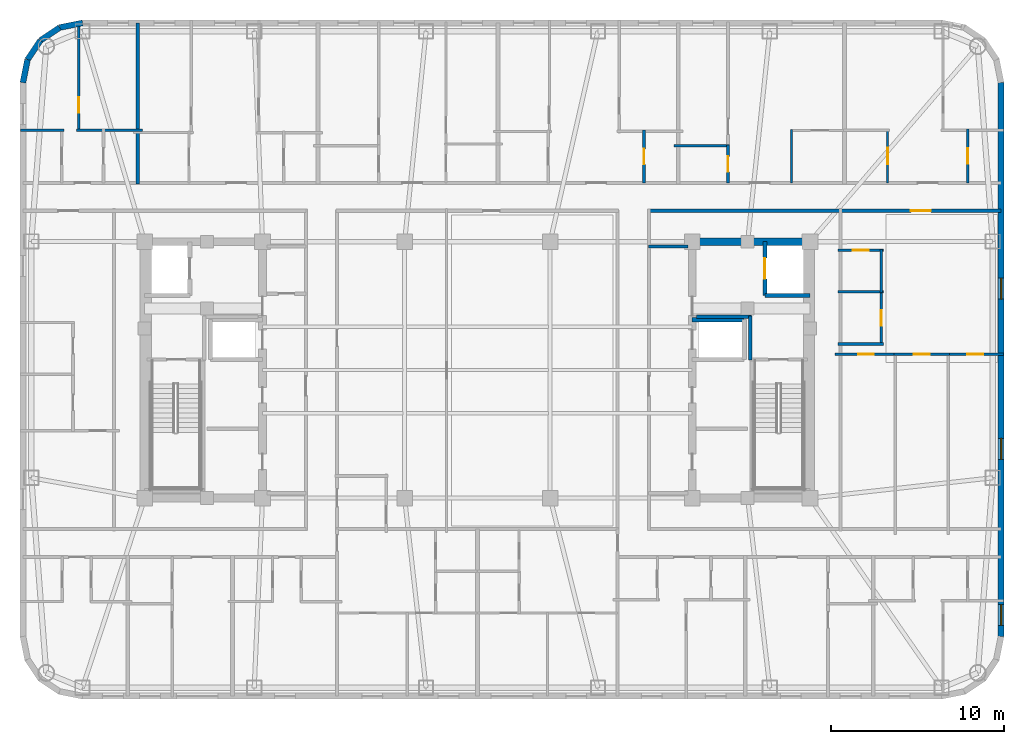
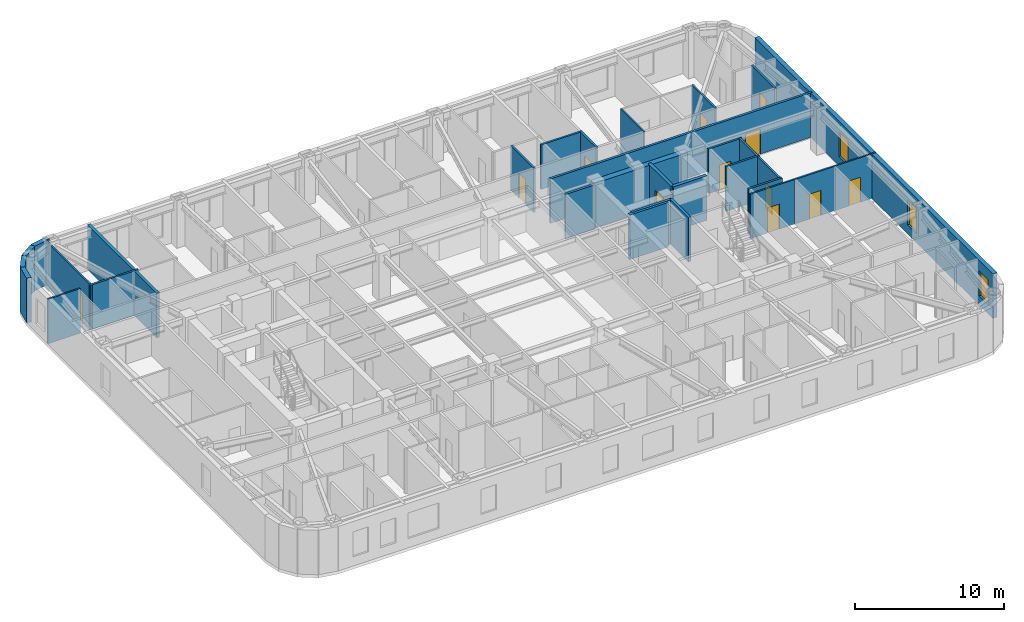
# One storey, part 7 of 11: 31 walls, 12 doors, 3 windows, 15 openings.
"""IFC4 building model written with IfcOpenShell, lengths in metres."""

from ifc_helpers import new_model, si_unit, direction, frame, frame_2d, origin, place, context, subcontext, project, spatial, rectangle, extrude, material, layer, layer_set, type_object, element, fill, save


model = new_model("IFC4")

# Units and contexts
model_context = context("Model", 3, precision=1e-05, world=origin(), true_north=direction((0.0, 1.0)))
body_context = subcontext(model_context, "Body", "Model", "MODEL_VIEW")
ifc_project = project(units=[si_unit("LENGTHUNIT", "METRE"), si_unit("AREAUNIT", "SQUARE_METRE"), si_unit("VOLUMEUNIT", "CUBIC_METRE"), si_unit("PLANEANGLEUNIT", "RADIAN"), si_unit("MASSUNIT", "GRAM", prefix="KILO")], contexts=[model_context])

# Site, building, storey
site_placement = place(None, origin())
site = spatial("IfcSite", under=ifc_project, at=site_placement, CompositionType="ELEMENT")
building_placement = place(site_placement, origin())
building = spatial("IfcBuilding", under=site, at=building_placement, Name="Voryun Gate Residences", CompositionType="ELEMENT")
storey_placement = place(building_placement, frame((0.0, 0.0, 219.699951171875)))
storey = spatial("IfcBuildingStorey", under=building, at=storey_placement, Name="L54", CompositionType="ELEMENT", Elevation=219.699951171875)

# Walls
ifc_material_1 = material(Name="Concrete C50/60", Category="concrete")
ifc_layer_1 = layer(ifc_material_1, 0.449951171875, Name="CW_CORE_450")
ifc_layer_set_1 = layer_set([ifc_layer_1], Name="Concrete C50/60")
wall_type_1 = type_object("IfcWallType", Name="CW_CORE_450", PredefinedType="SHEAR", material=ifc_layer_set_1)
wall_1_placement = place(storey_placement, frame((12.175048828125, 7.39990234375, 0.0), z_axis=(0.0, 0.0, 1.0), x_axis=(1.0, 0.0, 0.0)))
element("IfcWall", 1, at=wall_1_placement, inside=storey, type_object=wall_type_1, Name="L54 Core shear wall CW-L54-EN", PredefinedType="SHEAR", context=body_context, shape_type="SweptSolid", body=[
    extrude(rectangle(XDim=7.25, YDim=0.449951171875, at=frame_2d((3.625, 0.0))), origin(), (0.0, 0.0, 1.0), 3.650146484375),
])
ifc_material_2 = material(Name="Gypsum acoustic fireboard")
ifc_layer_2 = layer(ifc_material_2, 0.179931640625, Name="W_CORR_RATED_180")
ifc_layer_set_2 = layer_set([ifc_layer_2], Name="Gypsum acoustic fireboard")
wall_type_2 = type_object("IfcWallType", Name="W_CORR_RATED_180", PredefinedType="PARTITIONING", material=ifc_layer_set_2)
wall_2_placement = place(storey_placement, frame((9.8798828125, 7.1201171875, 0.0), z_axis=(0.0, 0.0, 1.0), x_axis=(1.0, 0.0, 0.0)))
element("IfcWall", 2, at=wall_2_placement, inside=storey, type_object=wall_type_2, Name="Partition wall WP-L54-PLBN-E", PredefinedType="PARTITIONING", context=body_context, shape_type="SweptSolid", body=[
    extrude(rectangle(XDim=2.27001953125, YDim=0.179931640625, at=frame_2d((1.135009765625, 0.0))), origin(), (0.0, 0.0, 1.0), 3.650146484375),
])

# Wall, opening, door
wall_3_placement = place(storey_placement, frame((9.8798828125, 9.18994140625, 0.0), z_axis=(0.0, 0.0, 1.0), x_axis=(1.0, 0.0, 0.0)))
wall_3 = element("IfcWall", 3, at=wall_3_placement, inside=storey, type_object=wall_type_2, Name="Partition wall WP-L54-CWING-EN", PredefinedType="PARTITIONING", context=body_context, shape_type="SweptSolid", body=[
    extrude(rectangle(XDim=20.35009765625, YDim=0.179931640625, at=frame_2d((10.175048828125, 0.0))), origin(), (0.0, 0.0, 1.0), 3.650146484375),
])
opening_1_placement = place(wall_3_placement, frame((15.1494140625, 0.0, 0.0)))
opening_1 = element("IfcOpeningElement", 4, at=opening_1_placement, cuts=wall_3, Name="Opening D-UNIT-1", PredefinedType="OPENING", context=body_context, shape_type="SweptSolid", body=[
    extrude(rectangle(XDim=1.14990234375, YDim=2.050048828125, at=frame_2d((0.574951171875, 1.02490234375))), frame((0.0, 0.099853515625, 0.0), z_axis=(0.0, -1.0, 0.0), x_axis=(1.0, 0.0, 0.0)), (0.0, 0.0, 1.0), 0.199951171875),
])
ifc_material_3 = material(Name="Armoured timber-clad fire door", Category="wood")
door_type_1 = type_object("IfcDoorType", Name="DR_UNIT_ENTRY_1150", OperationType="NOTDEFINED", PredefinedType="DOOR", material=ifc_material_3)
door_1_placement = place(opening_1_placement, origin())
door_1 = element("IfcDoor", 5, at=door_1_placement, inside=storey, type_object=door_type_1, Name="Door DR-L54-EE1N", OperationType="SINGLE_SWING_LEFT", OverallHeight=2.050048828125, OverallWidth=1.14990234375, PredefinedType="DOOR", context=body_context, shape_type="SweptSolid", body=[
    extrude(rectangle(XDim=1.14990234375, YDim=2.050048828125, at=frame_2d((0.574951171875, 1.02490234375))), frame((0.0, 0.02490234375, 0.0), z_axis=(0.0, -1.0, 0.0), x_axis=(1.0, 0.0, 0.0)), (0.0, 0.0, 1.0), 0.050048828125),
])
fill(opening_1, door_1)

# Walls
ifc_material_4 = material(Name="Charcoal terracotta masonry", Category="masonry")
ifc_layer_3 = layer(ifc_material_4, 0.340087890625, Name="W_EXT_TERRACOTTA_340")
ifc_layer_set_3 = layer_set([ifc_layer_3], Name="Charcoal terracotta masonry")
wall_type_3 = type_object("IfcWallType", Name="W_EXT_TERRACOTTA_340", PredefinedType="ELEMENTEDWALL", material=ifc_layer_set_3)
wall_4_placement = place(storey_placement, frame((-26.22998046875, 16.583251953125, 0.0), z_axis=(0.0, 0.0, 1.0), x_axis=(0.195075878998, 0.980788153188, 0.0)))
element("IfcWall", 6, at=wall_4_placement, inside=storey, type_object=wall_type_3, Name="Exterior wall WEXT-L54-07", PredefinedType="ELEMENTEDWALL", context=body_context, shape_type="SweptSolid", body=[
    extrude(rectangle(XDim=1.354248046875, YDim=0.340087890625, at=frame_2d((0.67724609375, 0.0))), origin(), (0.0, 0.0, 1.0), 3.650146484375),
])
for number, where, z_axis, x_axis, name in (
    (7, (-25.9658203125, 17.911376953125, 0.0), (0.0, 0.0, 1.0), (0.555669034571, 0.831403586725, 0.0), "Exterior wall WEXT-L54-08"),
    (8, (-25.222900390625, 19.02294921875, 0.0), (0.0, 0.0, 1.0), (0.831403586725, 0.555669034571, 0.0), "Exterior wall WEXT-L54-09"),
):
    element("IfcWall", number, at=place(storey_placement, frame(where, z_axis=z_axis, x_axis=x_axis)), inside=storey, type_object=wall_type_3, Name=name, PredefinedType="ELEMENTEDWALL", context=body_context, shape_type="SweptSolid", body=[
        extrude(rectangle(XDim=1.3369140625, YDim=0.340087890625, at=frame_2d((0.66845703125, 0.0))), origin(), (0.0, 0.0, 1.0), 3.650146484375),
    ])
wall_5_placement = place(storey_placement, frame((-24.111328125, 19.765869140625, 0.0), z_axis=(0.0, 0.0, 1.0), x_axis=(0.980788153188, 0.195075878998, 0.0)))
element("IfcWall", 9, at=wall_5_placement, inside=storey, type_object=wall_type_3, Name="Exterior wall WEXT-L54-10", PredefinedType="ELEMENTEDWALL", context=body_context, shape_type="SweptSolid", body=[
    extrude(rectangle(XDim=1.354248046875, YDim=0.340087890625, at=frame_2d((0.67724609375, 0.0))), origin(), (0.0, 0.0, 1.0), 3.650146484375),
])

# Wall, openings, windows
wall_6_placement = place(storey_placement, frame((30.22998046875, 16.583251953125, 0.0), z_axis=(0.0, 0.0, 1.0), x_axis=(0.0, -1.0, 0.0)))
wall_6 = element("IfcWall", 10, at=wall_6_placement, inside=storey, type_object=wall_type_3, Name="Exterior wall WEXT-L54-16", PredefinedType="ELEMENTEDWALL", context=body_context, shape_type="SweptSolid", body=[
    extrude(rectangle(XDim=31.966552734375, YDim=0.340087890625, at=frame_2d((15.9833984375, 0.0))), origin(), (0.0, 0.0, 1.0), 3.650146484375),
])
opening_2_placement = place(wall_6_placement, frame((30.13232421875, 0.0, 0.75)))
opening_2 = element("IfcOpeningElement", 11, at=opening_2_placement, cuts=wall_6, Name="Opening WN6", PredefinedType="OPENING", context=body_context, shape_type="SweptSolid", body=[
    extrude(rectangle(XDim=1.199951171875, YDim=2.050048828125, at=frame_2d((0.60009765625, 1.02490234375))), frame((0.0, 0.179931640625, 0.0), z_axis=(0.0, -1.0, 0.0), x_axis=(1.0, 0.0, 0.0)), (0.0, 0.0, 1.0), 0.360107421875),
])
opening_3_placement = place(wall_6_placement, frame((11.288330078125, 0.0, 0.75)))
opening_3 = element("IfcOpeningElement", 12, at=opening_3_placement, cuts=wall_6, Name="Opening WN6", PredefinedType="OPENING", context=body_context, shape_type="SweptSolid", body=[
    extrude(rectangle(XDim=1.199951171875, YDim=2.050048828125, at=frame_2d((0.60009765625, 1.02490234375))), frame((0.0, 0.179931640625, 0.0), z_axis=(0.0, -1.0, 0.0), x_axis=(1.0, 0.0, 0.0)), (0.0, 0.0, 1.0), 0.360107421875),
])
opening_4_placement = place(wall_6_placement, frame((20.538330078125, 0.0, 0.75)))
opening_4 = element("IfcOpeningElement", 13, at=opening_4_placement, cuts=wall_6, Name="Opening WN6", PredefinedType="OPENING", context=body_context, shape_type="SweptSolid", body=[
    extrude(rectangle(XDim=1.199951171875, YDim=2.050048828125, at=frame_2d((0.60009765625, 1.02490234375))), frame((0.0, 0.179931640625, 0.0), z_axis=(0.0, -1.0, 0.0), x_axis=(1.0, 0.0, 0.0)), (0.0, 0.0, 1.0), 0.360107421875),
])
ifc_material_5 = material(Name="Laminated low-E glass", Category="glass")
window_type = type_object("IfcWindowType", Name="WN_POD_SLOT_1200", PartitioningType="SINGLE_PANEL", PredefinedType="WINDOW", material=ifc_material_5)
window_1_placement = place(opening_2_placement, origin())
window_1 = element("IfcWindow", 14, at=window_1_placement, inside=storey, type_object=window_type, Name="Window WN-L54-DWFIX-23", OverallHeight=2.050048828125, OverallWidth=1.199951171875, PartitioningType="SINGLE_PANEL", PredefinedType="WINDOW", context=body_context, shape_type="SweptSolid", body=[
    extrude(rectangle(XDim=1.199951171875, YDim=2.050048828125, at=frame_2d((0.60009765625, 1.02490234375))), frame((0.0, 0.030029296875, 0.0), z_axis=(0.0, -1.0, 0.0), x_axis=(1.0, 0.0, 0.0)), (0.0, 0.0, 1.0), 0.06005859375),
])
fill(opening_2, window_1)
window_2_placement = place(opening_3_placement, origin())
window_2 = element("IfcWindow", 15, at=window_2_placement, inside=storey, type_object=window_type, Name="Window WN-L54-DWFIX-29", OverallHeight=2.050048828125, OverallWidth=1.199951171875, PartitioningType="SINGLE_PANEL", PredefinedType="WINDOW", context=body_context, shape_type="SweptSolid", body=[
    extrude(rectangle(XDim=1.199951171875, YDim=2.050048828125, at=frame_2d((0.60009765625, 1.02490234375))), frame((0.0, 0.030029296875, 0.0), z_axis=(0.0, -1.0, 0.0), x_axis=(1.0, 0.0, 0.0)), (0.0, 0.0, 1.0), 0.06005859375),
])
fill(opening_3, window_2)
window_3_placement = place(opening_4_placement, origin())
window_3 = element("IfcWindow", 16, at=window_3_placement, inside=storey, type_object=window_type, Name="Window WN-L54-DWFIX-30", OverallHeight=2.050048828125, OverallWidth=1.199951171875, PartitioningType="SINGLE_PANEL", PredefinedType="WINDOW", context=body_context, shape_type="SweptSolid", body=[
    extrude(rectangle(XDim=1.199951171875, YDim=2.050048828125, at=frame_2d((0.60009765625, 1.02490234375))), frame((0.0, 0.030029296875, 0.0), z_axis=(0.0, -1.0, 0.0), x_axis=(1.0, 0.0, 0.0)), (0.0, 0.0, 1.0), 0.06005859375),
])
fill(opening_4, window_3)

# Walls
ifc_material_6 = material(Name="Concrete C40/50", Category="concrete")
ifc_layer_4 = layer(ifc_material_6, 0.199951171875, Name="W_FF_LOBBY_200")
ifc_layer_set_4 = layer_set([ifc_layer_4], Name="Concrete C40/50")
wall_type_4 = type_object("IfcWallType", Name="W_FF_LOBBY_200", PredefinedType="PARTITIONING", material=ifc_layer_set_4)
wall_7_placement = place(storey_placement, frame((15.760009765625, 0.580078125, 0.0), z_axis=(0.0, 0.0, 1.0), x_axis=(0.0, 1.0, 0.0)))
element("IfcWall", 17, at=wall_7_placement, inside=storey, type_object=wall_type_4, Name="Partition wall WP-L54-FFP0-E", PredefinedType="PARTITIONING", context=body_context, shape_type="SweptSolid", body=[
    extrude(rectangle(XDim=2.52001953125, YDim=0.199951171875, at=frame_2d((1.260009765625, 0.0))), origin(), (0.0, 0.0, 1.0), 3.650146484375),
])
wall_8_placement = place(storey_placement, frame((12.659912109375, 3.06005859375, 0.0), z_axis=(0.0, 0.0, 1.0), x_axis=(1.0, 0.0, 0.0)))
element("IfcWall", 18, at=wall_8_placement, inside=storey, type_object=wall_type_4, Name="Partition wall WP-L54-FFPS-E", PredefinedType="PARTITIONING", context=body_context, shape_type="SweptSolid", body=[
    extrude(rectangle(XDim=3.16015625, YDim=0.199951171875, at=frame_2d((1.580078125, 0.0))), origin(), (0.0, 0.0, 1.0), 3.650146484375),
])
ifc_material_7 = material(Name="Concrete C40/50", Category="concrete")
ifc_layer_5 = layer(ifc_material_7, 0.219970703125, Name="W_PARTY_ACOUSTIC_220")
ifc_layer_set_5 = layer_set([ifc_layer_5], Name="Concrete C40/50")
wall_type_5 = type_object("IfcWallType", Name="W_PARTY_ACOUSTIC_220", PredefinedType="PARTITIONING", material=ifc_layer_set_5)
wall_9_placement = place(storey_placement, frame((-19.60009765625, 10.719970703125, 0.0), z_axis=(0.0, 0.0, 1.0), x_axis=(0.0, 1.0, 0.0)))
element("IfcWall", 19, at=wall_9_placement, inside=storey, type_object=wall_type_5, Name="Partition wall WP-L54-NPTY-1", PredefinedType="PARTITIONING", context=body_context, shape_type="SweptSolid", body=[
    extrude(rectangle(XDim=9.31005859375, YDim=0.219970703125, at=frame_2d((4.655029296875, 0.0))), origin(), (0.0, 0.0, 1.0), 3.650146484375),
])
ifc_material_8 = material(Name="Concrete C50/60", Category="concrete")
ifc_layer_6 = layer(ifc_material_8, 0.25, Name="W_SHAFT_RC250")
ifc_layer_set_6 = layer_set([ifc_layer_6], Name="Concrete C50/60")
wall_type_6 = type_object("IfcWallType", Name="W_SHAFT_RC250", PredefinedType="SOLIDWALL", material=ifc_layer_set_6)
wall_10_placement = place(storey_placement, frame((16.60009765625, 4.300048828125, 0.0), z_axis=(0.0, 0.0, 1.0), x_axis=(1.0, 0.0, 0.0)))
element("IfcWall", 20, at=wall_10_placement, inside=storey, type_object=wall_type_6, Name="Lift shaft wall WSH-L54-EL-FF-E1-S", PredefinedType="SOLIDWALL", context=body_context, shape_type="SweptSolid", body=[
    extrude(rectangle(XDim=2.599853515625, YDim=0.25, at=frame_2d((1.2998046875, 0.0))), origin(), (0.0, 0.0, 1.0), 3.650146484375),
])

# Wall, opening, door
wall_11_placement = place(storey_placement, frame((16.60009765625, 7.39990234375, 0.0), z_axis=(0.0, 0.0, 1.0), x_axis=(0.0, -1.0, 0.0)))
wall_11 = element("IfcWall", 21, at=wall_11_placement, inside=storey, type_object=wall_type_6, Name="Lift shaft wall WSH-L54-EL-FF-E1-W", PredefinedType="SOLIDWALL", context=body_context, shape_type="SweptSolid", body=[
    extrude(rectangle(XDim=3.099853515625, YDim=0.25, at=frame_2d((1.5498046875, 0.0))), origin(), (0.0, 0.0, 1.0), 3.650146484375),
])
opening_5_placement = place(wall_11_placement, frame((0.949951171875, 0.0, 0.0)))
opening_5 = element("IfcOpeningElement", 22, at=opening_5_placement, cuts=wall_11, Name="Opening LD1", PredefinedType="OPENING", context=body_context, shape_type="SweptSolid", body=[
    extrude(rectangle(XDim=1.199951171875, YDim=2.050048828125, at=frame_2d((0.60009765625, 1.02490234375))), frame((0.0, 0.135009765625, 0.0), z_axis=(0.0, -1.0, 0.0), x_axis=(1.0, 0.0, 0.0)), (0.0, 0.0, 1.0), 0.27001953125),
])
ifc_material_9 = material(Name="Anodised aluminium", Category="aluminium")
door_type_2 = type_object("IfcDoorType", Name="DR_LD_FF_1200", OperationType="NOTDEFINED", PredefinedType="DOOR", material=ifc_material_9)
door_2_placement = place(opening_5_placement, origin())
door_2 = element("IfcDoor", 23, at=door_2_placement, inside=storey, type_object=door_type_2, Name="Lift EL-FF-E1 sliding landing door L54", OperationType="SLIDING_TO_LEFT", OverallHeight=2.050048828125, OverallWidth=1.199951171875, PredefinedType="DOOR", context=body_context, shape_type="SweptSolid", body=[
    extrude(rectangle(XDim=1.199951171875, YDim=2.050048828125, at=frame_2d((0.60009765625, 1.02490234375))), frame((0.0, 0.02490234375, 0.0), z_axis=(0.0, -1.0, 0.0), x_axis=(1.0, 0.0, 0.0)), (0.0, 0.0, 1.0), 0.050048828125),
])
fill(opening_5, door_2)

# Wall
wall_12_placement = place(storey_placement, frame((15.39990234375, 2.89990234375, 0.0), z_axis=(0.0, 0.0, 1.0), x_axis=(-1.0, 0.0, 0.0)))
element("IfcWall", 24, at=wall_12_placement, inside=storey, type_object=wall_type_6, Name="Lift shaft wall WSH-L54-EL-P8-N", PredefinedType="SOLIDWALL", context=body_context, shape_type="SweptSolid", body=[
    extrude(rectangle(XDim=3.0, YDim=0.25, at=frame_2d((1.5, 0.0))), origin(), (0.0, 0.0, 1.0), 3.650146484375),
])

# Wall, opening, door
ifc_material_10 = material(Name="Gypsum acoustic partition")
ifc_layer_7 = layer(ifc_material_10, 0.125, Name="W_UNIT_PART_125")
ifc_layer_set_7 = layer_set([ifc_layer_7], Name="Gypsum acoustic partition")
wall_type_7 = type_object("IfcWallType", Name="W_UNIT_PART_125", PredefinedType="PARTITIONING", material=ifc_layer_set_7)
wall_13_placement = place(storey_placement, frame((-23.010009765625, 13.759033203125, 0.0), z_axis=(0.0, 0.0, 1.0), x_axis=(0.0, 1.0, 0.0)))
wall_13 = element("IfcWall", 25, at=wall_13_placement, inside=storey, type_object=wall_type_7, Name="Partition wall WP-L54-N1-OVR", PredefinedType="PARTITIONING", context=body_context, shape_type="SweptSolid", body=[
    extrude(rectangle(XDim=6.378662109375, YDim=0.125, at=frame_2d((3.189453125, 0.0))), origin(), (0.0, 0.0, 1.0), 3.650146484375),
])
opening_6_placement = place(wall_13_placement, frame((1.080810546875, 0.0, 0.0)))
opening_6 = element("IfcOpeningElement", 26, at=opening_6_placement, cuts=wall_13, Name="Opening D-INT-2", PredefinedType="OPENING", context=body_context, shape_type="SweptSolid", body=[
    extrude(rectangle(XDim=0.89990234375, YDim=2.050048828125, at=frame_2d((0.449951171875, 1.02490234375))), frame((0.0, 0.072509765625, 0.0), z_axis=(0.0, -1.0, 0.0), x_axis=(1.0, 0.0, 0.0)), (0.0, 0.0, 1.0), 0.14501953125),
])
ifc_material_11 = material(Name="Architectural oak veneer")
door_type_3 = type_object("IfcDoorType", Name="DR_INT_BATH_900", OperationType="NOTDEFINED", PredefinedType="DOOR", material=ifc_material_11)
door_3_placement = place(opening_6_placement, origin())
door_3 = element("IfcDoor", 27, at=door_3_placement, inside=storey, type_object=door_type_3, Name="Door DR-L54-N1-DMB", OperationType="SINGLE_SWING_RIGHT", OverallHeight=2.050048828125, OverallWidth=0.89990234375, PredefinedType="DOOR", context=body_context, shape_type="SweptSolid", body=[
    extrude(rectangle(XDim=0.89990234375, YDim=2.050048828125, at=frame_2d((0.449951171875, 1.02490234375))), frame((0.0, 0.02490234375, 0.0), z_axis=(0.0, -1.0, 0.0), x_axis=(1.0, 0.0, 0.0)), (0.0, 0.0, 1.0), 0.050048828125),
])
fill(opening_6, door_3)

# Walls
wall_14_placement = place(storey_placement, frame((-26.3798828125, 13.839111328125, 0.0), z_axis=(0.0, 0.0, 1.0), x_axis=(1.0, 0.0, 0.0)))
element("IfcWall", 28, at=wall_14_placement, inside=storey, type_object=wall_type_7, Name="Partition wall WP-L54-N1-HZK", PredefinedType="PARTITIONING", context=body_context, shape_type="SweptSolid", body=[
    extrude(rectangle(XDim=2.512939453125, YDim=0.125, at=frame_2d((1.25634765625, 0.0))), origin(), (0.0, 0.0, 1.0), 3.650146484375),
])
wall_15_placement = place(storey_placement, frame((18.136962890625, 10.780029296875, 0.0), z_axis=(0.0, 0.0, 1.0), x_axis=(0.0, 1.0, 0.0)))
element("IfcWall", 29, at=wall_15_placement, inside=storey, type_object=wall_type_7, Name="Partition wall WP-L54-N5-KVX", PredefinedType="PARTITIONING", context=body_context, shape_type="SweptSolid", body=[
    extrude(rectangle(XDim=3.099853515625, YDim=0.125, at=frame_2d((1.5498046875, 0.0))), origin(), (0.0, 0.0, 1.0), 3.650146484375),
])

# Wall, opening, door
wall_16_placement = place(storey_placement, frame((23.68408203125, 10.780029296875, 0.0), z_axis=(0.0, 0.0, 1.0), x_axis=(0.0, 1.0, 0.0)))
wall_16 = element("IfcWall", 30, at=wall_16_placement, inside=storey, type_object=wall_type_7, Name="Partition wall WP-L54-N6-IVK", PredefinedType="PARTITIONING", context=body_context, shape_type="SweptSolid", body=[
    extrude(rectangle(XDim=3.138916015625, YDim=0.125, at=frame_2d((1.5693359375, 0.0))), origin(), (0.0, 0.0, 1.0), 3.650146484375),
])
opening_7_placement = place(wall_16_placement, frame((1.094482421875, 0.0, 0.0)))
opening_7 = element("IfcOpeningElement", 31, at=opening_7_placement, cuts=wall_16, Name="Opening D-INT-1", PredefinedType="OPENING", context=body_context, shape_type="SweptSolid", body=[
    extrude(rectangle(XDim=0.949951171875, YDim=2.050048828125, at=frame_2d((0.47509765625, 1.02490234375))), frame((0.0, 0.072509765625, 0.0), z_axis=(0.0, -1.0, 0.0), x_axis=(1.0, 0.0, 0.0)), (0.0, 0.0, 1.0), 0.14501953125),
])
ifc_material_12 = material(Name="Architectural oak veneer")
door_type_4 = type_object("IfcDoorType", Name="DR_INT_ROOM_950", OperationType="NOTDEFINED", PredefinedType="DOOR", material=ifc_material_12)
door_4_placement = place(opening_7_placement, origin())
door_4 = element("IfcDoor", 32, at=door_4_placement, inside=storey, type_object=door_type_4, Name="Door DR-L54-N6-DK", OperationType="SINGLE_SWING_LEFT", OverallHeight=2.050048828125, OverallWidth=0.949951171875, PredefinedType="DOOR", context=body_context, shape_type="SweptSolid", body=[
    extrude(rectangle(XDim=0.949951171875, YDim=2.050048828125, at=frame_2d((0.47509765625, 1.02490234375))), frame((0.0, 0.02490234375, 0.0), z_axis=(0.0, -1.0, 0.0), x_axis=(1.0, 0.0, 0.0)), (0.0, 0.0, 1.0), 0.050048828125),
])
fill(opening_7, door_4)

wall_17_placement = place(storey_placement, frame((20.64990234375, 0.909912109375, 0.0), z_axis=(0.0, 0.0, 1.0), x_axis=(1.0, 0.0, 0.0)))
wall_17 = element("IfcWall", 33, at=wall_17_placement, inside=storey, type_object=wall_type_7, Name="Partition wall WP-L54-E1-HZMB1", PredefinedType="PARTITIONING", context=body_context, shape_type="SweptSolid", body=[
    extrude(rectangle(XDim=3.53369140625, YDim=0.125, at=frame_2d((1.766845703125, 0.0))), origin(), (0.0, 0.0, 1.0), 3.650146484375),
])
opening_8_placement = place(wall_17_placement, frame((1.325439453125, 0.0, 0.0)))
opening_8 = element("IfcOpeningElement", 34, at=opening_8_placement, cuts=wall_17, Name="Opening D-INT-2", PredefinedType="OPENING", context=body_context, shape_type="SweptSolid", body=[
    extrude(rectangle(XDim=0.89990234375, YDim=2.050048828125, at=frame_2d((0.449951171875, 1.02490234375))), frame((0.0, 0.072509765625, 0.0), z_axis=(0.0, -1.0, 0.0), x_axis=(1.0, 0.0, 0.0)), (0.0, 0.0, 1.0), 0.14501953125),
])
door_5_placement = place(opening_8_placement, origin())
door_5 = element("IfcDoor", 35, at=door_5_placement, inside=storey, type_object=door_type_3, Name="Door DR-L54-E1-DMB", OperationType="SINGLE_SWING_LEFT", OverallHeight=2.050048828125, OverallWidth=0.89990234375, PredefinedType="DOOR", context=body_context, shape_type="SweptSolid", body=[
    extrude(rectangle(XDim=0.89990234375, YDim=2.050048828125, at=frame_2d((0.449951171875, 1.02490234375))), frame((0.0, 0.02490234375, 0.0), z_axis=(0.0, -1.0, 0.0), x_axis=(1.0, 0.0, 0.0)), (0.0, 0.0, 1.0), 0.050048828125),
])
fill(opening_8, door_5)

wall_18_placement = place(storey_placement, frame((24.05859375, 0.909912109375, 0.0), z_axis=(0.0, 0.0, 1.0), x_axis=(1.0, 0.0, 0.0)))
wall_18 = element("IfcWall", 36, at=wall_18_placement, inside=storey, type_object=wall_type_7, Name="Partition wall WP-L54-E1-HZMB2", PredefinedType="PARTITIONING", context=body_context, shape_type="SweptSolid", body=[
    extrude(rectangle(XDim=3.182861328125, YDim=0.125, at=frame_2d((1.59130859375, 0.0))), origin(), (0.0, 0.0, 1.0), 3.650146484375),
])
opening_9_placement = place(wall_18_placement, frame((1.1416015625, 0.0, 0.0)))
opening_9 = element("IfcOpeningElement", 37, at=opening_9_placement, cuts=wall_18, Name="Opening D-INT-2", PredefinedType="OPENING", context=body_context, shape_type="SweptSolid", body=[
    extrude(rectangle(XDim=0.89990234375, YDim=2.050048828125, at=frame_2d((0.449951171875, 1.02490234375))), frame((0.0, 0.072509765625, 0.0), z_axis=(0.0, -1.0, 0.0), x_axis=(1.0, 0.0, 0.0)), (0.0, 0.0, 1.0), 0.14501953125),
])
door_6_placement = place(opening_9_placement, origin())
door_6 = element("IfcDoor", 38, at=door_6_placement, inside=storey, type_object=door_type_3, Name="Door DR-L54-E1-DBD2", OperationType="SINGLE_SWING_RIGHT", OverallHeight=2.050048828125, OverallWidth=0.89990234375, PredefinedType="DOOR", context=body_context, shape_type="SweptSolid", body=[
    extrude(rectangle(XDim=0.89990234375, YDim=2.050048828125, at=frame_2d((0.449951171875, 1.02490234375))), frame((0.0, 0.02490234375, 0.0), z_axis=(0.0, -1.0, 0.0), x_axis=(1.0, 0.0, 0.0)), (0.0, 0.0, 1.0), 0.050048828125),
])
fill(opening_9, door_6)

wall_19_placement = place(storey_placement, frame((27.116455078125, 0.909912109375, 0.0), z_axis=(0.0, 0.0, 1.0), x_axis=(1.0, 0.0, 0.0)))
wall_19 = element("IfcWall", 39, at=wall_19_placement, inside=storey, type_object=wall_type_7, Name="Partition wall WP-L54-E1-HZMB3", PredefinedType="PARTITIONING", context=body_context, shape_type="SweptSolid", body=[
    extrude(rectangle(XDim=3.263427734375, YDim=0.125, at=frame_2d((1.6318359375, 0.0))), origin(), (0.0, 0.0, 1.0), 3.650146484375),
])
opening_10_placement = place(wall_19_placement, frame((1.173095703125, 0.0, 0.0)))
opening_10 = element("IfcOpeningElement", 40, at=opening_10_placement, cuts=wall_19, Name="Opening D-INT-2", PredefinedType="OPENING", context=body_context, shape_type="SweptSolid", body=[
    extrude(rectangle(XDim=0.89990234375, YDim=2.050048828125, at=frame_2d((0.449951171875, 1.02490234375))), frame((0.0, 0.072509765625, 0.0), z_axis=(0.0, -1.0, 0.0), x_axis=(1.0, 0.0, 0.0)), (0.0, 0.0, 1.0), 0.14501953125),
])
door_7_placement = place(opening_10_placement, origin())
door_7 = element("IfcDoor", 41, at=door_7_placement, inside=storey, type_object=door_type_3, Name="Door DR-L54-E1-DBD3", OperationType="SINGLE_SWING_LEFT", OverallHeight=2.050048828125, OverallWidth=0.89990234375, PredefinedType="DOOR", context=body_context, shape_type="SweptSolid", body=[
    extrude(rectangle(XDim=0.89990234375, YDim=2.050048828125, at=frame_2d((0.449951171875, 1.02490234375))), frame((0.0, 0.02490234375, 0.0), z_axis=(0.0, -1.0, 0.0), x_axis=(1.0, 0.0, 0.0)), (0.0, 0.0, 1.0), 0.050048828125),
])
fill(opening_10, door_7)

# Wall
ifc_material_13 = material(Name="Gypsum moisture-resistant partition")
ifc_layer_8 = layer(ifc_material_13, 0.14990234375, Name="W_WET_PLUMB_150")
ifc_layer_set_8 = layer_set([ifc_layer_8], Name="Gypsum moisture-resistant partition")
wall_type_8 = type_object("IfcWallType", Name="W_WET_PLUMB_150", PredefinedType="PLUMBINGWALL", material=ifc_layer_set_8)
wall_20_placement = place(storey_placement, frame((-23.1298828125, 13.839111328125, 0.0), z_axis=(0.0, 0.0, 1.0), x_axis=(1.0, 0.0, 0.0)))
element("IfcWall", 42, at=wall_20_placement, inside=storey, type_object=wall_type_8, Name="Partition wall WP-L54-N1-HZB", PredefinedType="PLUMBINGWALL", context=body_context, shape_type="SweptSolid", body=[
    extrude(rectangle(XDim=3.789794921875, YDim=0.14990234375, at=frame_2d((1.89501953125, 0.0))), origin(), (0.0, 0.0, 1.0), 3.650146484375),
])

# Wall, opening, door
wall_21_placement = place(storey_placement, frame((9.6201171875, 10.780029296875, 0.0), z_axis=(0.0, 0.0, 1.0), x_axis=(0.0, 1.0, 0.0)))
wall_21 = element("IfcWall", 43, at=wall_21_placement, inside=storey, type_object=wall_type_8, Name="Partition wall WP-L54-N4-IVB", PredefinedType="PLUMBINGWALL", context=body_context, shape_type="SweptSolid", body=[
    extrude(rectangle(XDim=3.069091796875, YDim=0.14990234375, at=frame_2d((1.53466796875, 0.0))), origin(), (0.0, 0.0, 1.0), 3.650146484375),
])
opening_11_placement = place(wall_21_placement, frame((1.08447265625, 0.0, 0.0)))
opening_11 = element("IfcOpeningElement", 44, at=opening_11_placement, cuts=wall_21, Name="Opening D-INT-2", PredefinedType="OPENING", context=body_context, shape_type="SweptSolid", body=[
    extrude(rectangle(XDim=0.89990234375, YDim=2.050048828125, at=frame_2d((0.449951171875, 1.02490234375))), frame((0.0, 0.0849609375, 0.0), z_axis=(0.0, -1.0, 0.0), x_axis=(1.0, 0.0, 0.0)), (0.0, 0.0, 1.0), 0.169921875),
])
door_8_placement = place(opening_11_placement, origin())
door_8 = element("IfcDoor", 45, at=door_8_placement, inside=storey, type_object=door_type_3, Name="Door DR-L54-N4-DB", OperationType="SINGLE_SWING_RIGHT", OverallHeight=2.050048828125, OverallWidth=0.89990234375, PredefinedType="DOOR", context=body_context, shape_type="SweptSolid", body=[
    extrude(rectangle(XDim=0.89990234375, YDim=2.050048828125, at=frame_2d((0.449951171875, 1.02490234375))), frame((0.0, 0.02490234375, 0.0), z_axis=(0.0, -1.0, 0.0), x_axis=(1.0, 0.0, 0.0)), (0.0, 0.0, 1.0), 0.050048828125),
])
fill(opening_11, door_8)

# Wall
wall_22_placement = place(storey_placement, frame((11.340087890625, 12.93994140625, 0.0), z_axis=(0.0, 0.0, 1.0), x_axis=(1.0, 0.0, 0.0)))
element("IfcWall", 46, at=wall_22_placement, inside=storey, type_object=wall_type_8, Name="Partition wall WP-L54-N5-LHY", PredefinedType="PLUMBINGWALL", context=body_context, shape_type="SweptSolid", body=[
    extrude(rectangle(XDim=3.205810546875, YDim=0.14990234375, at=frame_2d((1.60302734375, 0.0))), origin(), (0.0, 0.0, 1.0), 3.650146484375),
])

# Wall, opening, door
wall_23_placement = place(storey_placement, frame((14.466064453125, 10.780029296875, 0.0), z_axis=(0.0, 0.0, 1.0), x_axis=(0.0, 1.0, 0.0)))
wall_23 = element("IfcWall", 47, at=wall_23_placement, inside=storey, type_object=wall_type_8, Name="Partition wall WP-L54-N5-LVX1", PredefinedType="PLUMBINGWALL", context=body_context, shape_type="SweptSolid", body=[
    extrude(rectangle(XDim=2.199951171875, YDim=0.14990234375, at=frame_2d((1.10009765625, 0.0))), origin(), (0.0, 0.0, 1.0), 3.650146484375),
])
opening_12_placement = place(wall_23_placement, frame((0.64990234375, 0.0, 0.0)))
opening_12 = element("IfcOpeningElement", 48, at=opening_12_placement, cuts=wall_23, Name="Opening D-INT-2", PredefinedType="OPENING", context=body_context, shape_type="SweptSolid", body=[
    extrude(rectangle(XDim=0.89990234375, YDim=2.050048828125, at=frame_2d((0.449951171875, 1.02490234375))), frame((0.0, 0.0849609375, 0.0), z_axis=(0.0, -1.0, 0.0), x_axis=(1.0, 0.0, 0.0)), (0.0, 0.0, 1.0), 0.169921875),
])
door_9_placement = place(opening_12_placement, origin())
door_9 = element("IfcDoor", 49, at=door_9_placement, inside=storey, type_object=door_type_3, Name="Door DR-L54-N5-DB", OperationType="SINGLE_SWING_LEFT", OverallHeight=2.050048828125, OverallWidth=0.89990234375, PredefinedType="DOOR", context=body_context, shape_type="SweptSolid", body=[
    extrude(rectangle(XDim=0.89990234375, YDim=2.050048828125, at=frame_2d((0.449951171875, 1.02490234375))), frame((0.0, 0.02490234375, 0.0), z_axis=(0.0, -1.0, 0.0), x_axis=(1.0, 0.0, 0.0)), (0.0, 0.0, 1.0), 0.050048828125),
])
fill(opening_12, door_9)

wall_24_placement = place(storey_placement, frame((28.31689453125, 10.780029296875, 0.0), z_axis=(0.0, 0.0, 1.0), x_axis=(0.0, 1.0, 0.0)))
wall_24 = element("IfcWall", 50, at=wall_24_placement, inside=storey, type_object=wall_type_8, Name="Partition wall WP-L54-N6-IVB", PredefinedType="PLUMBINGWALL", context=body_context, shape_type="SweptSolid", body=[
    extrude(rectangle(XDim=3.138916015625, YDim=0.14990234375, at=frame_2d((1.5693359375, 0.0))), origin(), (0.0, 0.0, 1.0), 3.650146484375),
])
opening_13_placement = place(wall_24_placement, frame((1.119384765625, 0.0, 0.0)))
opening_13 = element("IfcOpeningElement", 51, at=opening_13_placement, cuts=wall_24, Name="Opening D-INT-2", PredefinedType="OPENING", context=body_context, shape_type="SweptSolid", body=[
    extrude(rectangle(XDim=0.89990234375, YDim=2.050048828125, at=frame_2d((0.449951171875, 1.02490234375))), frame((0.0, 0.0849609375, 0.0), z_axis=(0.0, -1.0, 0.0), x_axis=(1.0, 0.0, 0.0)), (0.0, 0.0, 1.0), 0.169921875),
])
door_10_placement = place(opening_13_placement, origin())
door_10 = element("IfcDoor", 52, at=door_10_placement, inside=storey, type_object=door_type_3, Name="Door DR-L54-N6-DB", OperationType="SINGLE_SWING_RIGHT", OverallHeight=2.050048828125, OverallWidth=0.89990234375, PredefinedType="DOOR", context=body_context, shape_type="SweptSolid", body=[
    extrude(rectangle(XDim=0.89990234375, YDim=2.050048828125, at=frame_2d((0.449951171875, 1.02490234375))), frame((0.0, 0.02490234375, 0.0), z_axis=(0.0, -1.0, 0.0), x_axis=(1.0, 0.0, 0.0)), (0.0, 0.0, 1.0), 0.050048828125),
])
fill(opening_13, door_10)

wall_25_placement = place(storey_placement, frame((20.820068359375, 6.89990234375, 0.0), z_axis=(0.0, 0.0, 1.0), x_axis=(1.0, 0.0, 0.0)))
wall_25 = element("IfcWall", 53, at=wall_25_placement, inside=storey, type_object=wall_type_8, Name="Partition wall WP-L54-E1-IBT", PredefinedType="PLUMBINGWALL", context=body_context, shape_type="SweptSolid", body=[
    extrude(rectangle(XDim=2.619873046875, YDim=0.14990234375, at=frame_2d((1.31005859375, 0.0))), origin(), (0.0, 0.0, 1.0), 3.650146484375),
])
opening_14_placement = place(wall_25_placement, frame((0.860107421875, 0.0, 0.0)))
opening_14 = element("IfcOpeningElement", 54, at=opening_14_placement, cuts=wall_25, Name="Opening D-INT-2", PredefinedType="OPENING", context=body_context, shape_type="SweptSolid", body=[
    extrude(rectangle(XDim=0.89990234375, YDim=2.050048828125, at=frame_2d((0.449951171875, 1.02490234375))), frame((0.0, 0.0849609375, 0.0), z_axis=(0.0, -1.0, 0.0), x_axis=(1.0, 0.0, 0.0)), (0.0, 0.0, 1.0), 0.169921875),
])
door_11_placement = place(opening_14_placement, origin())
door_11 = element("IfcDoor", 55, at=door_11_placement, inside=storey, type_object=door_type_3, Name="Door DR-L54-E1-DK", OperationType="SINGLE_SWING_LEFT", OverallHeight=2.050048828125, OverallWidth=0.89990234375, PredefinedType="DOOR", context=body_context, shape_type="SweptSolid", body=[
    extrude(rectangle(XDim=0.89990234375, YDim=2.050048828125, at=frame_2d((0.449951171875, 1.02490234375))), frame((0.0, 0.02490234375, 0.0), z_axis=(0.0, -1.0, 0.0), x_axis=(1.0, 0.0, 0.0)), (0.0, 0.0, 1.0), 0.050048828125),
])
fill(opening_14, door_11)

# Walls
for number, where, z_axis, x_axis, name in (
    (56, (20.820068359375, 4.52001953125, 0.0), (0.0, 0.0, 1.0), (1.0, 0.0, 0.0), "Partition wall WP-L54-E1-IKB"),
    (57, (20.820068359375, 1.5, 0.0), (0.0, 0.0, 1.0), (1.0, 0.0, 0.0), "Partition wall WP-L54-E1-IBB"),
):
    element("IfcWall", number, at=place(storey_placement, frame(where, z_axis=z_axis, x_axis=x_axis)), inside=storey, type_object=wall_type_8, Name=name, PredefinedType="PLUMBINGWALL", context=body_context, shape_type="SweptSolid", body=[
        extrude(rectangle(XDim=2.619873046875, YDim=0.14990234375, at=frame_2d((1.31005859375, 0.0))), origin(), (0.0, 0.0, 1.0), 3.650146484375),
    ])

# Wall, opening, door
wall_26_placement = place(storey_placement, frame((23.320068359375, 1.43994140625, 0.0), z_axis=(0.0, 0.0, 1.0), x_axis=(0.0, 1.0, 0.0)))
wall_26 = element("IfcWall", 58, at=wall_26_placement, inside=storey, type_object=wall_type_8, Name="Partition wall WP-L54-E1-VTSK1", PredefinedType="PLUMBINGWALL", context=body_context, shape_type="SweptSolid", body=[
    extrude(rectangle(XDim=3.1201171875, YDim=0.14990234375, at=frame_2d((1.56005859375, 0.0))), origin(), (0.0, 0.0, 1.0), 3.650146484375),
])
opening_15_placement = place(wall_26_placement, frame((1.110107421875, 0.0, 0.0)))
opening_15 = element("IfcOpeningElement", 59, at=opening_15_placement, cuts=wall_26, Name="Opening D-INT-2", PredefinedType="OPENING", context=body_context, shape_type="SweptSolid", body=[
    extrude(rectangle(XDim=0.89990234375, YDim=2.050048828125, at=frame_2d((0.449951171875, 1.02490234375))), frame((0.0, 0.0849609375, 0.0), z_axis=(0.0, -1.0, 0.0), x_axis=(1.0, 0.0, 0.0)), (0.0, 0.0, 1.0), 0.169921875),
])
door_12_placement = place(opening_15_placement, origin())
door_12 = element("IfcDoor", 60, at=door_12_placement, inside=storey, type_object=door_type_3, Name="Door DR-L54-E1-DB", OperationType="SINGLE_SWING_RIGHT", OverallHeight=2.050048828125, OverallWidth=0.89990234375, PredefinedType="DOOR", context=body_context, shape_type="SweptSolid", body=[
    extrude(rectangle(XDim=0.89990234375, YDim=2.050048828125, at=frame_2d((0.449951171875, 1.02490234375))), frame((0.0, 0.02490234375, 0.0), z_axis=(0.0, -1.0, 0.0), x_axis=(1.0, 0.0, 0.0)), (0.0, 0.0, 1.0), 0.050048828125),
])
fill(opening_15, door_12)

# Wall
wall_27_placement = place(storey_placement, frame((23.320068359375, 4.47998046875, 0.0), z_axis=(0.0, 0.0, 1.0), x_axis=(0.0, 1.0, 0.0)))
element("IfcWall", 61, at=wall_27_placement, inside=storey, type_object=wall_type_8, Name="Partition wall WP-L54-E1-VTSK2", PredefinedType="PLUMBINGWALL", context=body_context, shape_type="SweptSolid", body=[
    extrude(rectangle(XDim=2.47998046875, YDim=0.14990234375, at=frame_2d((1.239990234375, 0.0))), origin(), (0.0, 0.0, 1.0), 3.650146484375),
])

save(model, "model.ifc")
